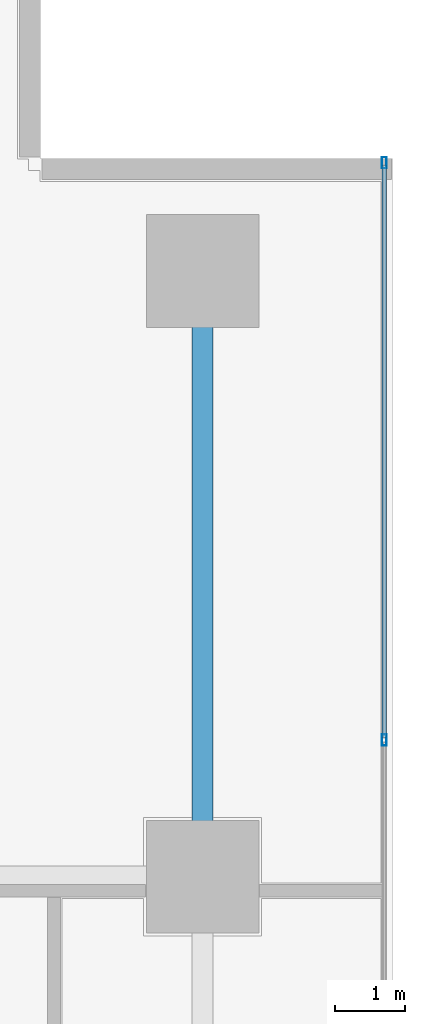
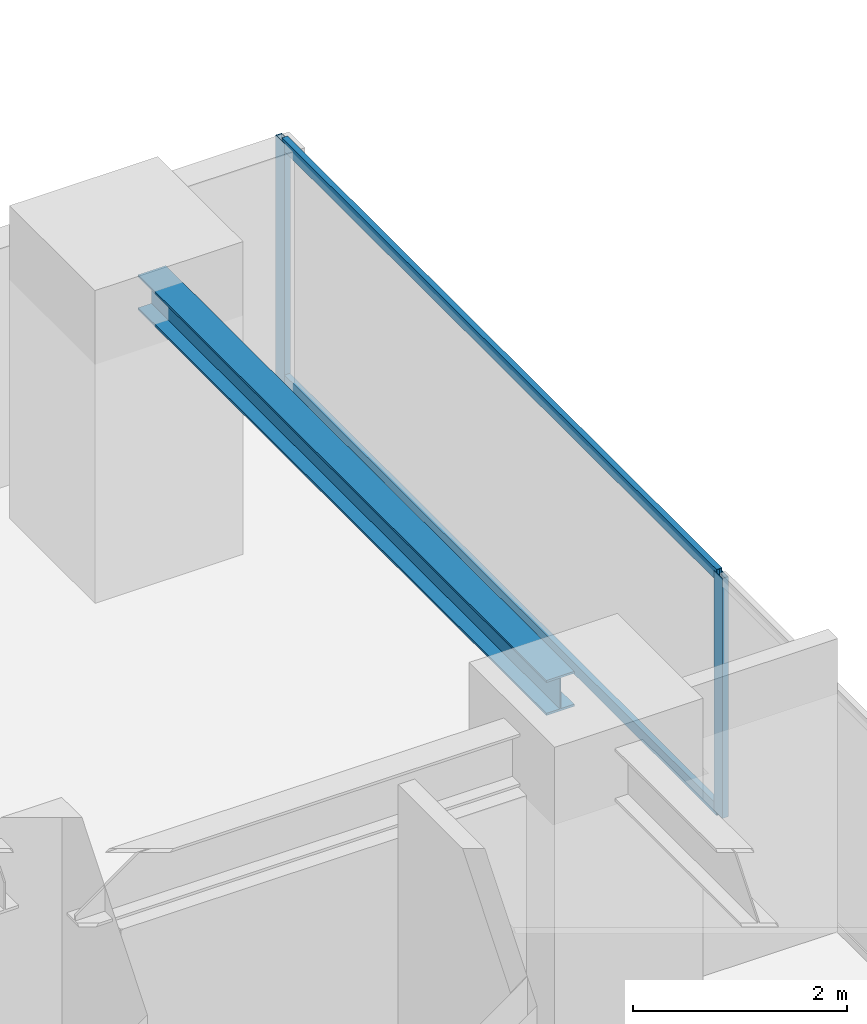
# One storey, part 24 of 36: 4 members, 1 beam, 1 element without a shape of its own.
"""IFC4 building model written with IfcOpenShell, lengths in metres."""

from ifc_helpers import new_model, si_unit, direction, frame, origin, origin_2d, place, context, subcontext, project, spatial, hollow_rectangle, i_section, extrude, source, transform, mapped, material, layer, layer_set, material_profile, profile_set, type_object, element, aggregate, save


model = new_model("IFC4")

# Units and contexts
model_context = context("Model", 3, precision=1e-05, world=origin(), true_north=direction((0.0, 1.0)))
body_context = subcontext(model_context, "Body", "Model", "MODEL_VIEW")
ifc_project = project(units=[si_unit("LENGTHUNIT", "METRE"), si_unit("AREAUNIT", "SQUARE_METRE"), si_unit("VOLUMEUNIT", "CUBIC_METRE"), si_unit("PLANEANGLEUNIT", "RADIAN"), si_unit("MASSUNIT", "GRAM", prefix="KILO")], contexts=[model_context])

# Site, building, storey
site_placement = place(None, origin())
site = spatial("IfcSite", under=ifc_project, at=site_placement, CompositionType="ELEMENT")
building_placement = place(site_placement, origin())
building = spatial("IfcBuilding", under=site, at=building_placement, Name="Sumidabori Civic Tower", CompositionType="ELEMENT")
storey_placement = place(building_placement, frame((0.0, 0.0, 113.60009765625)))
storey = spatial("IfcBuildingStorey", under=building, at=storey_placement, Name="L29", CompositionType="ELEMENT", Elevation=113.60009765625)

# Beam
ifc_material_1 = material(Name="Steel SN490", Category="steel")
ifc_material_profile_1 = material_profile(ifc_material_1, i_section(OverallWidth=0.300048828125, OverallDepth=0.39990234375, WebThickness=0.013427734375, FlangeThickness=0.02392578125, at=origin_2d()), Name="HE 400 B")
ifc_profile_set_1 = profile_set([ifc_material_profile_1], Name="Steel SN490")
beam_type = type_object("IfcBeamType", Name="BM-GIRD-400", PredefinedType="BEAM", material=ifc_profile_set_1)
shared_shape_1 = source(origin(), body_context, "Body", "SweptSolid", [
    extrude(i_section(OverallWidth=0.300048828125, OverallDepth=0.39990234375, WebThickness=0.013427734375, FlangeThickness=0.02392578125, at=origin_2d()), origin(), (0.0, 0.0, 1.0), 7.64013671875),
])
beam_placement = place(storey_placement, frame((22.800048828125, 10.679931640625, 3.159912109375), z_axis=(0.0, 1.0, 0.0), x_axis=(-1.0, 0.0, 0.0)))
element("IfcBeam", 1, at=beam_placement, inside=storey, type_object=beam_type, Name="Primary Girder L29 GY-42", PredefinedType="BEAM", context=body_context, shape_type="MappedRepresentation", body=[
    mapped(shared_shape_1, transform((0.0, 0.0, 0.0), x_axis=(1.0, 0.0, 0.0), y_axis=(0.0, 1.0, 0.0), z_axis=(0.0, 0.0, 1.0), scale=1.0)),
])

# Curtain wall, members
ifc_material_2 = material(Name="Anodised Bronze Aluminium AW-6063-T6", Category="aluminium")
ifc_layer = layer(ifc_material_2, 0.179931640625, Name="Anodised Bronze Aluminium AW-6063-T6")
ifc_layer_set = layer_set([ifc_layer], Name="Anodised Bronze Aluminium AW-6063-T6")
curtain_wall_type = type_object("IfcCurtainWallType", Name="CW-SYS-3", PredefinedType="NOTDEFINED", material=ifc_layer_set)
curtain_wall_placement = place(storey_placement, origin())
curtain_wall = element("IfcCurtainWall", 2, at=curtain_wall_placement, inside=storey, type_object=curtain_wall_type, Name="Curtain Wall CW:L29:R04", PredefinedType="NOTDEFINED")
ifc_material_profile_2 = material_profile(ifc_material_2, hollow_rectangle(XDim=0.06494140625, YDim=0.159912109375, WallThickness=0.0048828125, at=origin_2d()), Name="ALU MULLION 160x65")
ifc_profile_set_2 = profile_set([ifc_material_profile_2], Name="Anodised Bronze Aluminium AW-6063-T6")
member_type_1 = type_object("IfcMemberType", Name="CW-MUL-160", PredefinedType="MULLION", material=ifc_profile_set_2)
shared_shape_2 = source(origin(), body_context, "Body", "SweptSolid", [
    extrude(hollow_rectangle(XDim=0.06494140625, YDim=0.159912109375, WallThickness=0.0048828125, at=origin_2d()), origin(), (0.0, 0.0, 1.0), 2.739990234375),
])
member_1_placement = place(storey_placement, frame((25.3798828125, 12.14208984375, 0.0), z_axis=(0.0, 0.0, 1.0), x_axis=(-1.0, 0.0, 0.0)))
member_1 = element("IfcMember", 3, at=member_1_placement, type_object=member_type_1, Name="CW-3 mullion 5", PredefinedType="MULLION", context=body_context, shape_type="MappedRepresentation", body=[
    mapped(shared_shape_2, transform((0.0, 0.0, 0.0), x_axis=(1.0, 0.0, 0.0), y_axis=(0.0, 1.0, 0.0), z_axis=(0.0, 0.0, 1.0), scale=1.0)),
])
member_2_placement = place(storey_placement, frame((25.3798828125, 20.33740234375, 0.0), z_axis=(0.0, 0.0, 1.0), x_axis=(-1.0, 0.0, 0.0)))
member_2 = element("IfcMember", 4, at=member_2_placement, type_object=member_type_1, Name="CW-3 mullion 6", PredefinedType="MULLION", context=body_context, shape_type="MappedRepresentation", body=[
    mapped(shared_shape_2, transform((0.0, 0.0, 0.0), x_axis=(1.0, 0.0, 0.0), y_axis=(0.0, 1.0, 0.0), z_axis=(0.0, 0.0, 1.0), scale=1.0)),
])
ifc_material_profile_3 = material_profile(ifc_material_2, hollow_rectangle(XDim=0.06005859375, YDim=0.1298828125, WallThickness=0.0048828125, at=origin_2d()), Name="ALU TRANSOM 130x60")
ifc_profile_set_3 = profile_set([ifc_material_profile_3], Name="Anodised Bronze Aluminium AW-6063-T6")
member_type_2 = type_object("IfcMemberType", Name="CW-TRN-130", PredefinedType="USERDEFINED", material=ifc_profile_set_3)
shared_shape_3 = source(origin(), body_context, "Body", "SweptSolid", [
    extrude(hollow_rectangle(XDim=0.06005859375, YDim=0.1298828125, WallThickness=0.0048828125, at=origin_2d()), origin(), (0.0, 0.0, 1.0), 8.13037109375),
])
member_3_placement = place(storey_placement, frame((25.3798828125, 12.174560546875, 0.02978515625), z_axis=(0.0, 1.0, 0.0), x_axis=(-1.0, 0.0, 0.0)))
member_3 = element("IfcMember", 5, at=member_3_placement, type_object=member_type_2, Name="CW-3 transom 5.1", ObjectType="TRANSOM", PredefinedType="USERDEFINED", context=body_context, shape_type="MappedRepresentation", body=[
    mapped(shared_shape_3, transform((0.0, 0.0, 0.0), x_axis=(1.0, 0.0, 0.0), y_axis=(0.0, 1.0, 0.0), z_axis=(0.0, 0.0, 1.0), scale=1.0)),
])
member_4_placement = place(storey_placement, frame((25.3798828125, 12.174560546875, 2.7099609375), z_axis=(0.0, 1.0, 0.0), x_axis=(-1.0, 0.0, 0.0)))
member_4 = element("IfcMember", 6, at=member_4_placement, type_object=member_type_2, Name="CW-3 transom 5.2", ObjectType="TRANSOM", PredefinedType="USERDEFINED", context=body_context, shape_type="MappedRepresentation", body=[
    mapped(shared_shape_3, transform((0.0, 0.0, 0.0), x_axis=(1.0, 0.0, 0.0), y_axis=(0.0, 1.0, 0.0), z_axis=(0.0, 0.0, 1.0), scale=1.0)),
])
aggregate(curtain_wall, [member_1, member_2, member_3, member_4])

save(model, "model.ifc")
